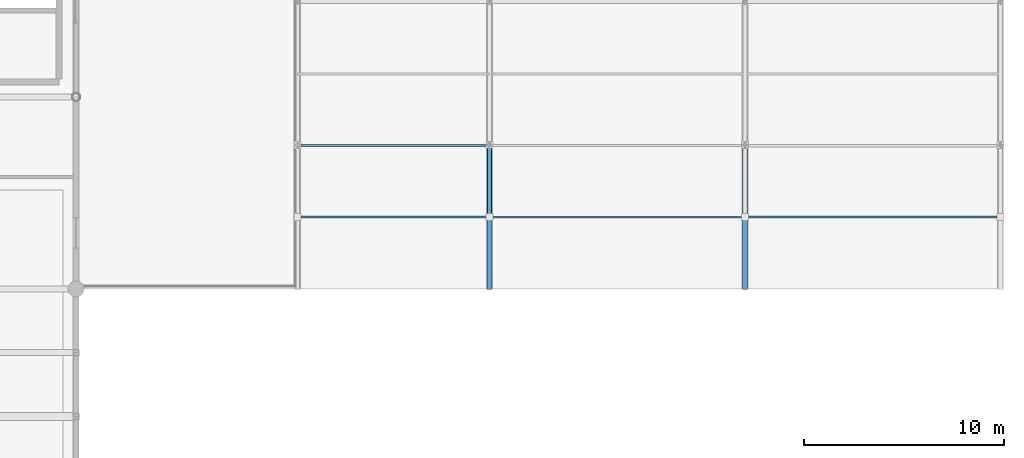
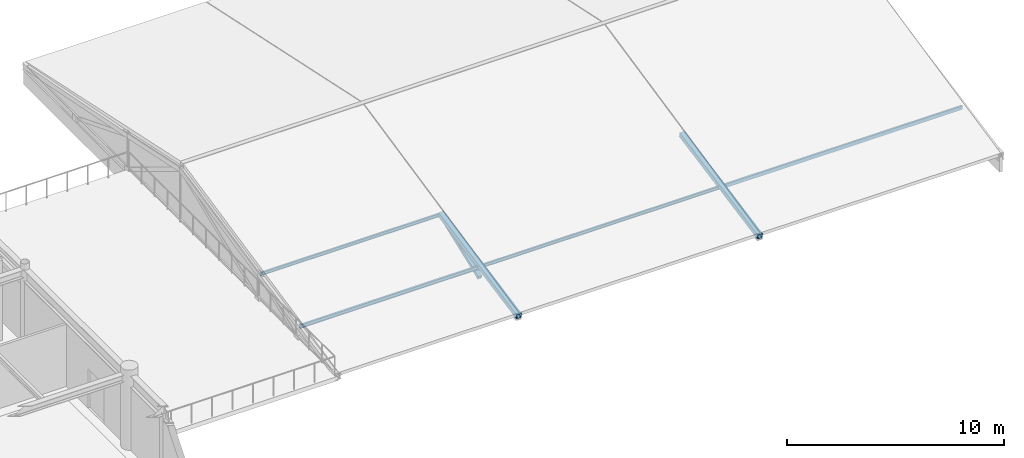
# One storey, part 33 of 61: 7 members.
"""IFC4 building model written with IfcOpenShell, lengths in metres."""

from ifc_helpers import new_model, si_unit, direction, frame, origin, origin_2d, place, context, subcontext, project, spatial, hollow_rectangle, i_section, extrude, material, material_profile, profile_set, type_object, element, save


model = new_model("IFC4")

# Units and contexts
model_context = context("Model", 3, precision=1e-05, world=origin(), true_north=direction((0.0, 1.0)))
body_context = subcontext(model_context, "Body", "Model", "MODEL_VIEW")
ifc_project = project(units=[si_unit("LENGTHUNIT", "METRE"), si_unit("AREAUNIT", "SQUARE_METRE"), si_unit("VOLUMEUNIT", "CUBIC_METRE"), si_unit("PLANEANGLEUNIT", "RADIAN"), si_unit("MASSUNIT", "GRAM", prefix="KILO")], contexts=[model_context])

# Site, building, storey
site_placement = place(None, origin())
site = spatial("IfcSite", under=ifc_project, at=site_placement, CompositionType="ELEMENT")
building_placement = place(site_placement, origin())
building = spatial("IfcBuilding", under=site, at=building_placement, Name="Fikremerkos Civic Library", CompositionType="ELEMENT")
storey_placement = place(building_placement, frame((0.0, 0.0, 14.39990234375)))
storey = spatial("IfcBuildingStorey", under=building, at=storey_placement, Name="L03", CompositionType="ELEMENT", Elevation=14.39990234375)

# Members
ifc_material = material(Name="Steel S355", Category="steel")
ifc_material_profile_1 = material_profile(ifc_material, hollow_rectangle(XDim=0.199951171875, YDim=0.199951171875, WallThickness=0.010009765625, at=origin_2d()), Name="SHS 200x200x10")
ifc_profile_set_1 = profile_set([ifc_material_profile_1], Name="Steel S355")
member_type_1 = type_object("IfcMemberType", Name="Diagonal brace BRC-02 SHS 200x200x10", PredefinedType="BRACE", material=ifc_profile_set_1)
member_1_placement = place(storey_placement, frame((134.39990234375, 15.60009765625, 0.0), z_axis=(0.0, 0.93281795077, 0.360347985594), x_axis=(-1.0, 0.0, 0.0)))
element("IfcMember", 1, at=member_1_placement, inside=storey, type_object=member_type_1, Name="Auditorium roof truss diagonal web BRC-02 X=134.4 #1", PredefinedType="BRACE", context=body_context, shape_type="SweptSolid", body=[
    extrude(hollow_rectangle(XDim=0.199951171875, YDim=0.199951171875, WallThickness=0.010009765625, at=origin_2d()), origin(), (0.0, 0.0, 1.0), 3.859130859375),
])
ifc_material_profile_2 = material_profile(ifc_material, i_section(OverallWidth=0.10009765625, OverallDepth=0.199951171875, WebThickness=0.005615234375, FlangeThickness=0.008544921875, FilletRadius=0.011962890625, at=origin_2d()), Name="IPE 200")
ifc_profile_set_2 = profile_set([ifc_material_profile_2], Name="Steel S355")
member_type_2 = type_object("IfcMemberType", Name="Roof purlin PUR-03 IPE 200", PredefinedType="PURLIN", material=ifc_profile_set_2)
member_2_placement = place(storey_placement, frame((124.800048828125, 15.586181640625, 0.6103515625), z_axis=(1.0, 0.0, 0.0), x_axis=(0.0, 1.0, 0.0)))
element("IfcMember", 2, at=member_2_placement, inside=storey, type_object=member_type_2, Name="Roof purlin PUR-03 V3 bay 1.1.1", PredefinedType="PURLIN", context=body_context, shape_type="SweptSolid", body=[
    extrude(i_section(OverallWidth=0.10009765625, OverallDepth=0.199951171875, WebThickness=0.005615234375, FlangeThickness=0.008544921875, FilletRadius=0.011962890625, at=origin_2d()), origin(), (0.0, 0.0, 1.0), 9.599853515625),
])
ifc_material_profile_3 = material_profile(ifc_material, i_section(OverallWidth=0.091064453125, OverallDepth=0.179931640625, WebThickness=0.00537109375, FlangeThickness=0.008056640625, FilletRadius=0.009033203125, at=origin_2d()), Name="IPE 180")
ifc_profile_set_3 = profile_set([ifc_material_profile_3], Name="Steel S355")
member_type_3 = type_object("IfcMemberType", Name="Roof purlin PUR-04 IPE 180", PredefinedType="PURLIN", material=ifc_profile_set_3)
member_3_placement = place(storey_placement, frame((124.800048828125, 19.172607421875, 1.385498046875), z_axis=(1.0, 0.0, 0.0), x_axis=(0.0, 1.0, 0.0)))
element("IfcMember", 3, at=member_3_placement, inside=storey, type_object=member_type_3, Name="Roof purlin PUR-04 V3 bay 1.1.2", PredefinedType="PURLIN", context=body_context, shape_type="SweptSolid", body=[
    extrude(i_section(OverallWidth=0.091064453125, OverallDepth=0.179931640625, WebThickness=0.00537109375, FlangeThickness=0.008056640625, FilletRadius=0.009033203125, at=origin_2d()), origin(), (0.0, 0.0, 1.0), 9.599853515625),
])
member_4_placement = place(storey_placement, frame((134.39990234375, 15.586181640625, 0.620361328125), z_axis=(1.0, 0.0, 0.0), x_axis=(0.0, 1.0, 0.0)))
element("IfcMember", 4, at=member_4_placement, inside=storey, type_object=member_type_3, Name="Roof purlin PUR-04 V3 bay 2.1.1", PredefinedType="PURLIN", context=body_context, shape_type="SweptSolid", body=[
    extrude(i_section(OverallWidth=0.091064453125, OverallDepth=0.179931640625, WebThickness=0.00537109375, FlangeThickness=0.008056640625, FilletRadius=0.009033203125, at=origin_2d()), origin(), (0.0, 0.0, 1.0), 12.800048828125),
])
ifc_material_profile_4 = material_profile(ifc_material, hollow_rectangle(XDim=0.10009765625, YDim=0.199951171875, WallThickness=0.008056640625, at=origin_2d()), Name="RHS 200x100x8")
ifc_profile_set_4 = profile_set([ifc_material_profile_4], Name="Steel S355")
member_type_4 = type_object("IfcMemberType", Name="Roof purlin PUR-05 RHS 200x100x8", PredefinedType="PURLIN", material=ifc_profile_set_4)
member_5_placement = place(storey_placement, frame((147.199951171875, 15.586181640625, 0.6103515625), z_axis=(1.0, 0.0, 0.0), x_axis=(0.0, 1.0, 0.0)))
element("IfcMember", 5, at=member_5_placement, inside=storey, type_object=member_type_4, Name="Roof purlin PUR-05 V3 bay 3.1.1", PredefinedType="PURLIN", context=body_context, shape_type="SweptSolid", body=[
    extrude(hollow_rectangle(XDim=0.10009765625, YDim=0.199951171875, WallThickness=0.008056640625, at=origin_2d()), origin(), (0.0, 0.0, 1.0), 12.800048828125),
])
ifc_material_profile_5 = material_profile(ifc_material, hollow_rectangle(XDim=0.260009765625, YDim=0.260009765625, WallThickness=0.01416015625, at=origin_2d()), Name="SHS 260x260x14.2")
ifc_profile_set_5 = profile_set([ifc_material_profile_5], Name="Steel S355")
member_type_5 = type_object("IfcMemberType", Name="Truss chord CHD-03 SHS 260x260x14.2", PredefinedType="CHORD", material=ifc_profile_set_5)
for number, where, z_axis, x_axis, name in (
    (6, (134.39990234375, 12.0, 0.0), (0.0, 0.981853909493, 0.189638868416), (-1.0, 0.0, 0.0), "Auditorium roof truss top chord CHD-03 X=134.4 #1"),
    (7, (147.199951171875, 12.0, 0.0), (0.0, 0.981853909493, 0.189638868416), (-1.0, 0.0, 0.0), "Auditorium roof truss top chord CHD-03 X=147.2 #1"),
):
    element("IfcMember", number, at=place(storey_placement, frame(where, z_axis=z_axis, x_axis=x_axis)), inside=storey, type_object=member_type_5, Name=name, PredefinedType="CHORD", context=body_context, shape_type="SweptSolid", body=[
        extrude(hollow_rectangle(XDim=0.260009765625, YDim=0.260009765625, WallThickness=0.01416015625, at=origin_2d()), origin(), (0.0, 0.0, 1.0), 7.3330078125),
    ])

save(model, "model.ifc")
